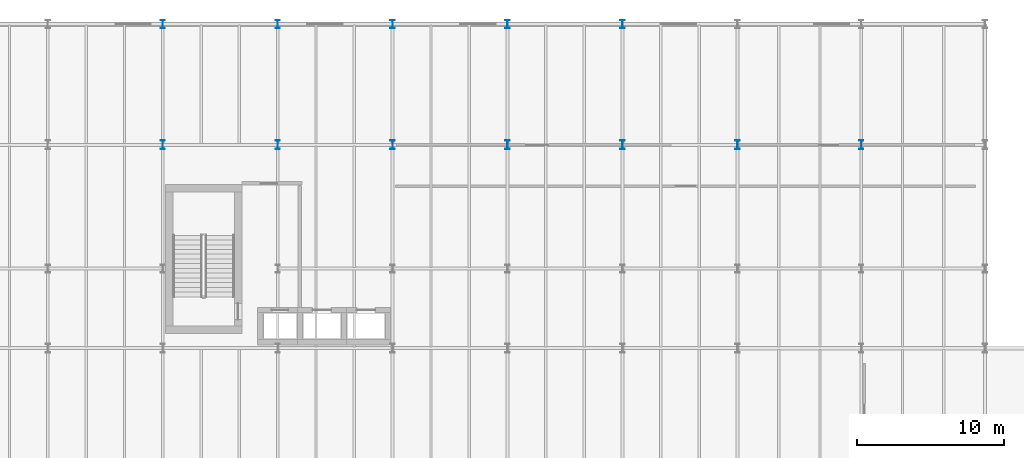
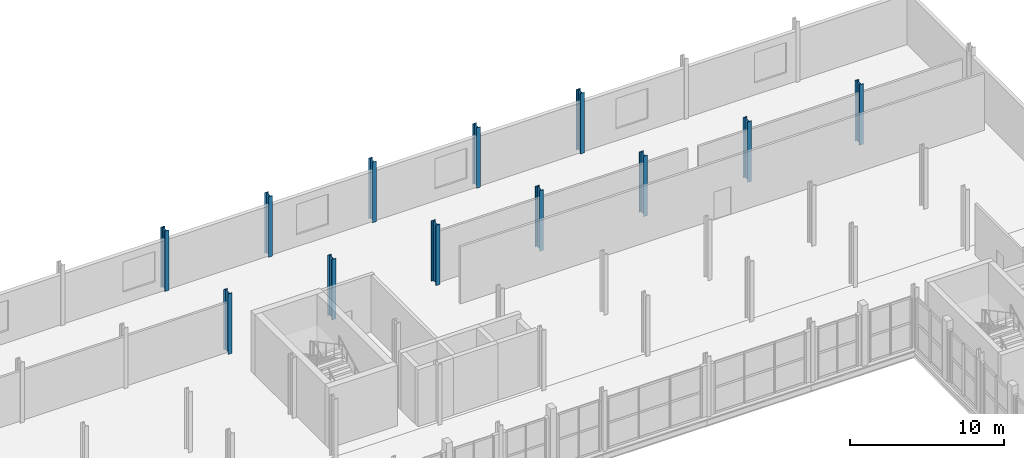
# One storey, part 11 of 63: 12 columns.
"""IFC4 building model written with IfcOpenShell, lengths in metres."""

import ifcopenshell
import ifcopenshell.guid

model = None  # the IFC model being written
_history = None  # IfcOwnerHistory: only IFC2X3 demands one
_inside = {}  # id of a spatial element -> (the spatial element, [elements in it])
_under = {}  # id of a project, library or spatial element -> (it, [spatial elements below it])
_declared = {}  # id of a project -> (the project, [libraries it declares])
_typed = {}  # id of a type object -> (the type object, [elements of that type])
_made_of = {}  # id of a material, layer set ... -> (it, [elements and type objects made of it])


def new_model(schema):
    """Start an empty IFC model of exactly this schema.

    Asked for "IFC4X3", IfcOpenShell would pick the latest addendum, in which some entities
    have other attributes; the version numbers below select the first issue.
    IFC2X3 requires an IfcOwnerHistory on every rooted entity: one is made here for all.
    """
    global model, _history
    if schema == "IFC4X3":
        model = ifcopenshell.file(schema_version=(4, 3, 0, 0))
    else:
        model = ifcopenshell.file(schema=schema)
    _inside.clear()
    _under.clear()
    _declared.clear()
    _typed.clear()
    _made_of.clear()
    _history = None
    if model.schema == "IFC2X3":
        org = make("IfcOrganization", Name="unknown")
        user = make(
            "IfcPersonAndOrganization",
            ThePerson=make("IfcPerson", FamilyName="unknown"),
            TheOrganization=org,
        )
        app = make(
            "IfcApplication",
            ApplicationDeveloper=org,
            Version="unknown",
            ApplicationFullName="unknown",
            ApplicationIdentifier="unknown",
        )
        _history = make(
            "IfcOwnerHistory",
            OwningUser=user,
            OwningApplication=app,
            ChangeAction="ADDED",
            CreationDate=0,
        )
    return model


def make(cls, **values):
    """One entity of the class cls with the attributes given. An attribute that is None is left unset."""
    return model.create_entity(
        cls, **{name: value for name, value in values.items() if value is not None}
    )


def rooted(cls, **values):
    """An entity with a GlobalId (a new one), such as an element, a storey or a relation."""
    return make(cls, GlobalId=ifcopenshell.guid.new(), OwnerHistory=_history, **values)


def si_unit(unit_type, name, prefix=None):
    """IfcSIUnit, for example si_unit("LENGTHUNIT", "METRE", prefix="MILLI")."""
    return make("IfcSIUnit", UnitType=unit_type, Prefix=prefix, Name=name)


def assignment(units):
    """IfcUnitAssignment: the units of a project."""
    return None if units is None else make("IfcUnitAssignment", Units=units)


def point(xyz):
    """IfcCartesianPoint."""
    return None if xyz is None else make("IfcCartesianPoint", Coordinates=xyz)


def direction(xyz):
    """IfcDirection."""
    return None if xyz is None else make("IfcDirection", DirectionRatios=xyz)


def frame(location, z_axis=None, x_axis=None):
    """IfcAxis2Placement3D, a coordinate frame: its origin and axes. An axis left out is left unset."""
    return make(
        "IfcAxis2Placement3D",
        Location=point(location),
        Axis=direction(z_axis),
        RefDirection=direction(x_axis),
    )


def frame_2d(location, x_axis=None):
    """IfcAxis2Placement2D, a coordinate frame in the plane: its origin and x axis."""
    return make(
        "IfcAxis2Placement2D", Location=point(location), RefDirection=direction(x_axis)
    )


def origin():
    """The frame at (0, 0, 0) with its axes left unset."""
    return frame((0.0, 0.0, 0.0))


def origin_2d():
    """The frame at (0, 0) in the plane with its x axis left unset."""
    return frame_2d((0.0, 0.0))


def place(relative_to, where):
    """IfcLocalPlacement: puts the frame where relative to a parent placement (None: the world)."""
    return make(
        "IfcLocalPlacement", PlacementRelTo=relative_to, RelativePlacement=where
    )


def context(
    kind, dimensions, precision=None, world=None, true_north=None, identifier=None
):
    """IfcGeometricRepresentationContext, for example the 3D "Model" context."""
    return make(
        "IfcGeometricRepresentationContext",
        ContextIdentifier=identifier,
        ContextType=kind,
        CoordinateSpaceDimension=dimensions,
        Precision=precision,
        WorldCoordinateSystem=world,
        TrueNorth=true_north,
    )


def subcontext(parent, identifier, kind, view, scale=None):
    """IfcGeometricRepresentationSubContext, for example "Body" below "Model"."""
    return make(
        "IfcGeometricRepresentationSubContext",
        ContextIdentifier=identifier,
        ContextType=kind,
        ParentContext=parent,
        TargetScale=scale,
        TargetView=view,
    )


def project(units=None, contexts=None):
    """IfcProject with its units and contexts."""
    return rooted(
        "IfcProject",
        Name="project",
        RepresentationContexts=contexts,
        UnitsInContext=assignment(units),
    )


def spatial(cls, under=None, at=None, **own):
    """A site, building, storey or space (cls), placed at a placement, below another one or the project."""
    s = rooted(cls, ObjectPlacement=at, **own)
    if under is not None:
        _under.setdefault(under.id(), (under, []))[1].append(s)
    return s


def profile(cls, at=None, kind="AREA", **sizes):
    """A parametric profile (cls). Its sizes go by their IFC names, for example OverallWidth=200.0."""
    return make(cls, ProfileType=kind, Position=at, **sizes)


def i_section(**sizes):
    """IfcIShapeProfileDef."""
    return profile("IfcIShapeProfileDef", **sizes)


def extrude(swept, where, along, depth):
    """IfcExtrudedAreaSolid: the profile swept, set in the frame where, extruded along a direction by depth."""
    return make(
        "IfcExtrudedAreaSolid",
        SweptArea=swept,
        Position=where,
        ExtrudedDirection=direction(along),
        Depth=depth,
    )


def shape(context_of_items, identifier, shape_type, items):
    """IfcShapeRepresentation: the items that make up one representation, for example the "Body"."""
    return make(
        "IfcShapeRepresentation",
        ContextOfItems=context_of_items,
        RepresentationIdentifier=identifier,
        RepresentationType=shape_type,
        Items=items,
    )


def material(Name=None, Category=None):
    """IfcMaterial."""
    return make("IfcMaterial", Name=Name, Category=Category)


def material_profile(
    of_material, cross_section, Name=None, Category=None, Priority=None
):
    """IfcMaterialProfile: a cross section and its material."""
    return make(
        "IfcMaterialProfile",
        Name=Name,
        Material=of_material,
        Profile=cross_section,
        Priority=Priority,
        Category=Category,
    )


def profile_set(profiles, Name=None, composite=None):
    """IfcMaterialProfileSet."""
    return make(
        "IfcMaterialProfileSet",
        Name=Name,
        MaterialProfiles=profiles,
        CompositeProfile=composite,
    )


def made_of(thing, what):
    """Note that an element or type object is made of a material, layer set ...; save() writes the relation."""
    if what is not None:
        _made_of.setdefault(what.id(), (what, []))[1].append(thing)
    return thing


def type_object(cls, material=None, **own):
    """A type object (cls), such as IfcWallType, which elements share."""
    return made_of(rooted(cls, **own), material)


def element(
    cls,
    number,
    at=None,
    inside=None,
    cuts=None,
    type_object=None,
    material=None,
    context=None,
    identifier="Body",
    shape_type=None,
    held_by="IfcProductDefinitionShape",
    body=None,
    shapes=None,
    **own,
):
    """One element of the class cls, such as IfcWall. Its Tag is "e" and its number.

    at: its placement. inside: the storey or other place that contains it. cuts: it is an
    opening in that element (IfcRelVoidsElement). A single representation is given by context,
    identifier, shape_type and body (its items); several are given by shapes. held_by: the class
    of the entity that holds the representations. save() writes the other relations.
    """
    e = rooted(cls, Tag="e%d" % number, ObjectPlacement=at, **own)
    if body is not None:
        shapes = [shape(context, identifier, shape_type, body)]
    if shapes is not None:
        e.Representation = make(held_by, Representations=shapes)
    if inside is not None:
        _inside.setdefault(inside.id(), (inside, []))[1].append(e)
    if cuts is not None:
        rooted(
            "IfcRelVoidsElement", RelatingBuildingElement=cuts, RelatedOpeningElement=e
        )
    if type_object is not None:
        _typed.setdefault(type_object.id(), (type_object, []))[1].append(e)
    return made_of(e, material)


def aggregate(whole, parts):
    """IfcRelAggregates: a whole, such as a stair, and the parts it consists of."""
    return rooted("IfcRelAggregates", RelatingObject=whole, RelatedObjects=parts)


def save(model, path):
    """Write the relations noted so far, then the file.

    IfcRelAggregates (storeys below a building ...), IfcRelContainedInSpatialStructure (elements
    in a storey), IfcRelDefinesByType, IfcRelAssociatesMaterial and IfcRelDeclares: one each for
    every whole, place, type object, material and project.
    """
    for whole, parts in _under.values():
        aggregate(whole, parts)
    for where, things in _inside.values():
        rooted(
            "IfcRelContainedInSpatialStructure",
            RelatedElements=things,
            RelatingStructure=where,
        )
    for kind, things in _typed.values():
        rooted("IfcRelDefinesByType", RelatedObjects=things, RelatingType=kind)
    for what, things in _made_of.values():
        rooted("IfcRelAssociatesMaterial", RelatedObjects=things, RelatingMaterial=what)
    for by, libraries in _declared.values():
        rooted("IfcRelDeclares", RelatingContext=by, RelatedDefinitions=libraries)
    model.write(path)


model = new_model("IFC4")

# Units and contexts
model_context = context("Model", 3, precision=1e-05, world=origin(), true_north=direction((0.0, 1.0)))
body_context = subcontext(model_context, "Body", "Model", "MODEL_VIEW")
ifc_project = project(units=[si_unit("LENGTHUNIT", "METRE"), si_unit("AREAUNIT", "SQUARE_METRE"), si_unit("VOLUMEUNIT", "CUBIC_METRE"), si_unit("PLANEANGLEUNIT", "RADIAN"), si_unit("MASSUNIT", "GRAM", prefix="KILO")], contexts=[model_context])

# Site, building, storey
site_placement = place(None, origin())
site = spatial("IfcSite", under=ifc_project, at=site_placement, CompositionType="ELEMENT")
building_placement = place(site_placement, origin())
building = spatial("IfcBuilding", under=site, at=building_placement, Name="Sefraquen Railside Congress Hotel", CompositionType="ELEMENT")
storey_placement = place(building_placement, frame((0.0, 0.0, 11.39990234375)))
storey = spatial("IfcBuildingStorey", under=building, at=storey_placement, Name="L02", CompositionType="ELEMENT", Elevation=11.39990234375)

# Columns
ifc_material = material(Name="Steel S355JR", Category="steel")
ifc_material_profile_1 = material_profile(ifc_material, i_section(OverallWidth=0.300048828125, OverallDepth=0.550048828125, WebThickness=0.014892578125, FlangeThickness=0.029052734375, FilletRadius=0.027099609375, at=origin_2d()), Name="HEB 550")
ifc_profile_set_1 = profile_set([ifc_material_profile_1], Name="Steel S355JR")
column_type_1 = type_object("IfcColumnType", Name="TC-HEB-550", PredefinedType="COLUMN", material=ifc_profile_set_1)
for number, where, z_axis, x_axis, name in (
    (1, (64.199951171875, 118.0, 0.0), (0.0, 0.0, 1.0), (1.0, 0.0, 0.0), "Structural column 9-Q L02"),
    (2, (72.0, 118.0, 0.0), (0.0, 0.0, 1.0), (1.0, 0.0, 0.0), "Structural column 10-Q L02"),
    (3, (79.800048828125, 118.0, 0.0), (0.0, 0.0, 1.0), (1.0, 0.0, 0.0), "Structural column 11-Q L02"),
    (4, (87.60009765625, 118.0, 0.0), (0.0, 0.0, 1.0), (1.0, 0.0, 0.0), "Structural column 12-Q L02"),
    (5, (95.39990234375, 118.0, 0.0), (0.0, 0.0, 1.0), (1.0, 0.0, 0.0), "Structural column 13-Q L02"),
):
    element("IfcColumn", number, at=place(storey_placement, frame(where, z_axis=z_axis, x_axis=x_axis)), inside=storey, type_object=column_type_1, Name=name, PredefinedType="COLUMN", context=body_context, shape_type="SweptSolid", body=[
        extrude(i_section(OverallWidth=0.300048828125, OverallDepth=0.550048828125, WebThickness=0.014892578125, FlangeThickness=0.029052734375, FilletRadius=0.027099609375, at=origin_2d()), origin(), (0.0, 0.0, 1.0), 4.800048828125),
    ])
ifc_material_profile_2 = material_profile(ifc_material, i_section(OverallWidth=0.300048828125, OverallDepth=0.60009765625, WebThickness=0.015380859375, FlangeThickness=0.030029296875, FilletRadius=0.027099609375, at=origin_2d()), Name="HEB 600")
ifc_profile_set_2 = profile_set([ifc_material_profile_2], Name="Steel S355JR")
column_type_2 = type_object("IfcColumnType", Name="TC-HEB-600", PredefinedType="COLUMN", material=ifc_profile_set_2)
for number, where, z_axis, x_axis, name in (
    (6, (64.199951171875, 109.800048828125, 0.0), (0.0, 0.0, 1.0), (1.0, 0.0, 0.0), "Structural column 9-P L02"),
    (7, (72.0, 109.800048828125, 0.0), (0.0, 0.0, 1.0), (1.0, 0.0, 0.0), "Structural column 10-P L02"),
    (8, (79.800048828125, 109.800048828125, 0.0), (0.0, 0.0, 1.0), (1.0, 0.0, 0.0), "Structural column 11-P L02"),
    (9, (87.60009765625, 109.800048828125, 0.0), (0.0, 0.0, 1.0), (1.0, 0.0, 0.0), "Structural column 12-P L02"),
    (10, (95.39990234375, 109.800048828125, 0.0), (0.0, 0.0, 1.0), (1.0, 0.0, 0.0), "Structural column 13-P L02"),
    (11, (103.199951171875, 109.800048828125, 0.0), (0.0, 0.0, 1.0), (1.0, 0.0, 0.0), "Structural column 14-P L02"),
    (12, (111.60009765625, 109.800048828125, 0.0), (0.0, 0.0, 1.0), (1.0, 0.0, 0.0), "Structural column 15-P L02"),
):
    element("IfcColumn", number, at=place(storey_placement, frame(where, z_axis=z_axis, x_axis=x_axis)), inside=storey, type_object=column_type_2, Name=name, PredefinedType="COLUMN", context=body_context, shape_type="SweptSolid", body=[
        extrude(i_section(OverallWidth=0.300048828125, OverallDepth=0.60009765625, WebThickness=0.015380859375, FlangeThickness=0.030029296875, FilletRadius=0.027099609375, at=origin_2d()), origin(), (0.0, 0.0, 1.0), 4.800048828125),
    ])

save(model, "model.ifc")
